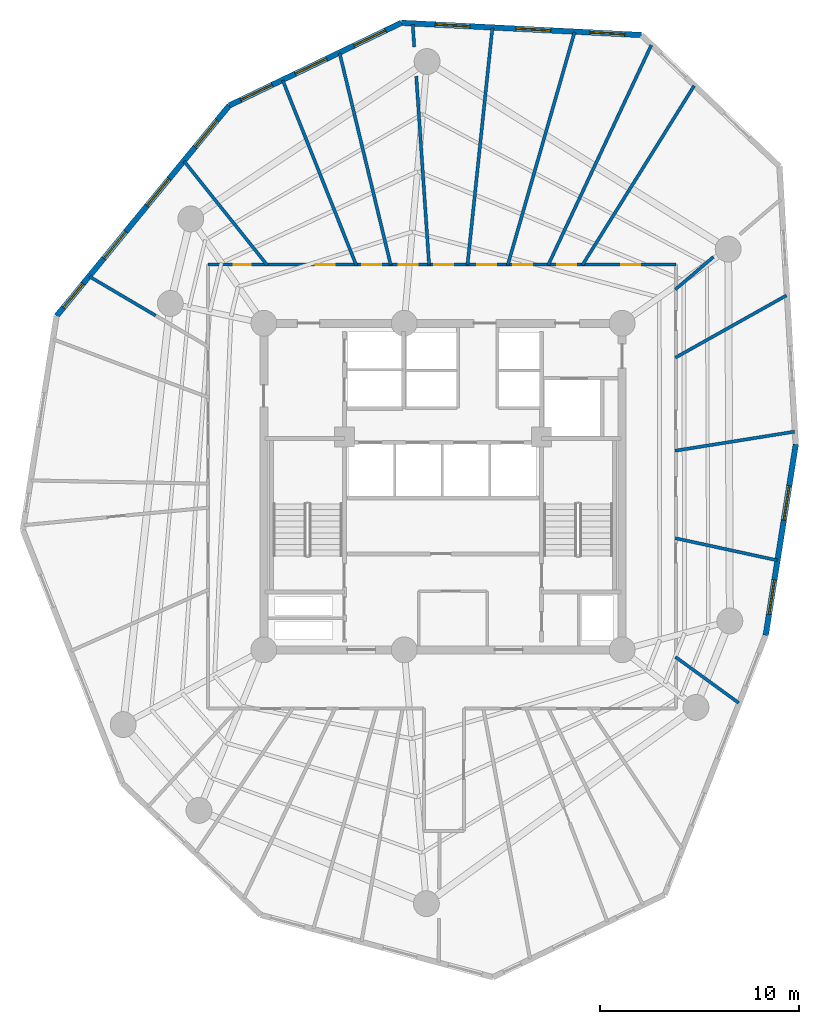
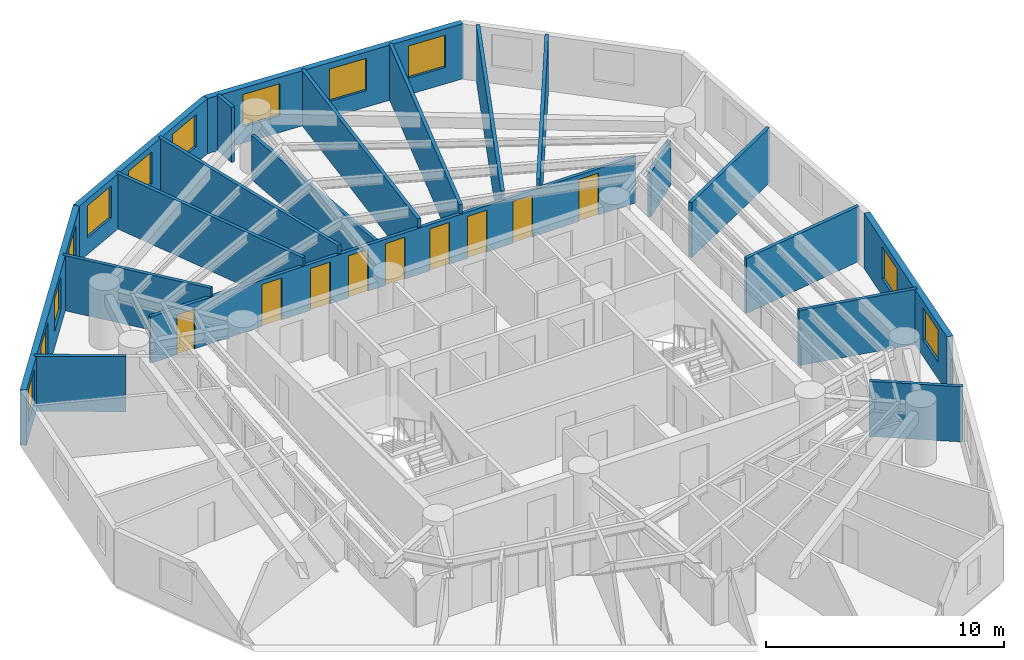
# One storey, part 6 of 8: 20 walls, 12 windows, 9 doors, 21 openings.
"""IFC4 building model written with IfcOpenShell, lengths in metres."""

import ifcopenshell
import ifcopenshell.guid

model = None  # the IFC model being written
_history = None  # IfcOwnerHistory: only IFC2X3 demands one
_inside = {}  # id of a spatial element -> (the spatial element, [elements in it])
_under = {}  # id of a project, library or spatial element -> (it, [spatial elements below it])
_declared = {}  # id of a project -> (the project, [libraries it declares])
_typed = {}  # id of a type object -> (the type object, [elements of that type])
_made_of = {}  # id of a material, layer set ... -> (it, [elements and type objects made of it])


def new_model(schema):
    """Start an empty IFC model of exactly this schema.

    Asked for "IFC4X3", IfcOpenShell would pick the latest addendum, in which some entities
    have other attributes; the version numbers below select the first issue.
    IFC2X3 requires an IfcOwnerHistory on every rooted entity: one is made here for all.
    """
    global model, _history
    if schema == "IFC4X3":
        model = ifcopenshell.file(schema_version=(4, 3, 0, 0))
    else:
        model = ifcopenshell.file(schema=schema)
    _inside.clear()
    _under.clear()
    _declared.clear()
    _typed.clear()
    _made_of.clear()
    _history = None
    if model.schema == "IFC2X3":
        org = make("IfcOrganization", Name="unknown")
        user = make(
            "IfcPersonAndOrganization",
            ThePerson=make("IfcPerson", FamilyName="unknown"),
            TheOrganization=org,
        )
        app = make(
            "IfcApplication",
            ApplicationDeveloper=org,
            Version="unknown",
            ApplicationFullName="unknown",
            ApplicationIdentifier="unknown",
        )
        _history = make(
            "IfcOwnerHistory",
            OwningUser=user,
            OwningApplication=app,
            ChangeAction="ADDED",
            CreationDate=0,
        )
    return model


def make(cls, **values):
    """One entity of the class cls with the attributes given. An attribute that is None is left unset."""
    return model.create_entity(
        cls, **{name: value for name, value in values.items() if value is not None}
    )


def rooted(cls, **values):
    """An entity with a GlobalId (a new one), such as an element, a storey or a relation."""
    return make(cls, GlobalId=ifcopenshell.guid.new(), OwnerHistory=_history, **values)


def si_unit(unit_type, name, prefix=None):
    """IfcSIUnit, for example si_unit("LENGTHUNIT", "METRE", prefix="MILLI")."""
    return make("IfcSIUnit", UnitType=unit_type, Prefix=prefix, Name=name)


def assignment(units):
    """IfcUnitAssignment: the units of a project."""
    return None if units is None else make("IfcUnitAssignment", Units=units)


def point(xyz):
    """IfcCartesianPoint."""
    return None if xyz is None else make("IfcCartesianPoint", Coordinates=xyz)


def direction(xyz):
    """IfcDirection."""
    return None if xyz is None else make("IfcDirection", DirectionRatios=xyz)


def frame(location, z_axis=None, x_axis=None):
    """IfcAxis2Placement3D, a coordinate frame: its origin and axes. An axis left out is left unset."""
    return make(
        "IfcAxis2Placement3D",
        Location=point(location),
        Axis=direction(z_axis),
        RefDirection=direction(x_axis),
    )


def frame_2d(location, x_axis=None):
    """IfcAxis2Placement2D, a coordinate frame in the plane: its origin and x axis."""
    return make(
        "IfcAxis2Placement2D", Location=point(location), RefDirection=direction(x_axis)
    )


def origin():
    """The frame at (0, 0, 0) with its axes left unset."""
    return frame((0.0, 0.0, 0.0))


def origin_with_axes():
    """The frame at (0, 0, 0) with the z axis (0, 0, 1) and the x axis (1, 0, 0) written out."""
    return frame((0.0, 0.0, 0.0), z_axis=(0.0, 0.0, 1.0), x_axis=(1.0, 0.0, 0.0))


def place(relative_to, where):
    """IfcLocalPlacement: puts the frame where relative to a parent placement (None: the world)."""
    return make(
        "IfcLocalPlacement", PlacementRelTo=relative_to, RelativePlacement=where
    )


def context(
    kind, dimensions, precision=None, world=None, true_north=None, identifier=None
):
    """IfcGeometricRepresentationContext, for example the 3D "Model" context."""
    return make(
        "IfcGeometricRepresentationContext",
        ContextIdentifier=identifier,
        ContextType=kind,
        CoordinateSpaceDimension=dimensions,
        Precision=precision,
        WorldCoordinateSystem=world,
        TrueNorth=true_north,
    )


def subcontext(parent, identifier, kind, view, scale=None):
    """IfcGeometricRepresentationSubContext, for example "Body" below "Model"."""
    return make(
        "IfcGeometricRepresentationSubContext",
        ContextIdentifier=identifier,
        ContextType=kind,
        ParentContext=parent,
        TargetScale=scale,
        TargetView=view,
    )


def project(units=None, contexts=None):
    """IfcProject with its units and contexts."""
    return rooted(
        "IfcProject",
        Name="project",
        RepresentationContexts=contexts,
        UnitsInContext=assignment(units),
    )


def spatial(cls, under=None, at=None, **own):
    """A site, building, storey or space (cls), placed at a placement, below another one or the project."""
    s = rooted(cls, ObjectPlacement=at, **own)
    if under is not None:
        _under.setdefault(under.id(), (under, []))[1].append(s)
    return s


def profile(cls, at=None, kind="AREA", **sizes):
    """A parametric profile (cls). Its sizes go by their IFC names, for example OverallWidth=200.0."""
    return make(cls, ProfileType=kind, Position=at, **sizes)


def rectangle(**sizes):
    """IfcRectangleProfileDef."""
    return profile("IfcRectangleProfileDef", **sizes)


def extrude(swept, where, along, depth):
    """IfcExtrudedAreaSolid: the profile swept, set in the frame where, extruded along a direction by depth."""
    return make(
        "IfcExtrudedAreaSolid",
        SweptArea=swept,
        Position=where,
        ExtrudedDirection=direction(along),
        Depth=depth,
    )


def shape(context_of_items, identifier, shape_type, items):
    """IfcShapeRepresentation: the items that make up one representation, for example the "Body"."""
    return make(
        "IfcShapeRepresentation",
        ContextOfItems=context_of_items,
        RepresentationIdentifier=identifier,
        RepresentationType=shape_type,
        Items=items,
    )


def source(mapping_origin, context_of_items, identifier, shape_type, items):
    """IfcRepresentationMap: a shape defined once, which mapped items show again and again."""
    return make(
        "IfcRepresentationMap",
        MappingOrigin=mapping_origin,
        MappedRepresentation=shape(context_of_items, identifier, shape_type, items),
    )


def transform(
    local_origin,
    x_axis=None,
    y_axis=None,
    z_axis=None,
    scale=None,
    scale2=None,
    scale3=None,
    uniform=True,
):
    """IfcCartesianTransformationOperator3D, or its non-uniform kind. x_axis, y_axis, z_axis: its Axis1, 2, 3."""
    if uniform:
        return make(
            "IfcCartesianTransformationOperator3D",
            Axis1=direction(x_axis),
            Axis2=direction(y_axis),
            LocalOrigin=point(local_origin),
            Scale=scale,
            Axis3=direction(z_axis),
        )
    return make(
        "IfcCartesianTransformationOperator3DnonUniform",
        Axis1=direction(x_axis),
        Axis2=direction(y_axis),
        LocalOrigin=point(local_origin),
        Scale=scale,
        Axis3=direction(z_axis),
        Scale2=scale2,
        Scale3=scale3,
    )


def mapped(mapping_source, mapping_target):
    """IfcMappedItem: shows the shape of a source again, moved by a transform."""
    return make(
        "IfcMappedItem", MappingSource=mapping_source, MappingTarget=mapping_target
    )


def material(Name=None, Category=None):
    """IfcMaterial."""
    return make("IfcMaterial", Name=Name, Category=Category)


def layer(
    of_material, thickness, ventilated=None, Name=None, Category=None, Priority=None
):
    """IfcMaterialLayer: one layer of a wall or slab, of a material (None: an air gap)."""
    return make(
        "IfcMaterialLayer",
        Material=of_material,
        LayerThickness=thickness,
        IsVentilated=ventilated,
        Name=Name,
        Category=Category,
        Priority=Priority,
    )


def layer_set(layers, Name=None):
    """IfcMaterialLayerSet."""
    return make("IfcMaterialLayerSet", MaterialLayers=layers, LayerSetName=Name)


def made_of(thing, what):
    """Note that an element or type object is made of a material, layer set ...; save() writes the relation."""
    if what is not None:
        _made_of.setdefault(what.id(), (what, []))[1].append(thing)
    return thing


def type_object(cls, material=None, **own):
    """A type object (cls), such as IfcWallType, which elements share."""
    return made_of(rooted(cls, **own), material)


def element(
    cls,
    number,
    at=None,
    inside=None,
    cuts=None,
    type_object=None,
    material=None,
    context=None,
    identifier="Body",
    shape_type=None,
    held_by="IfcProductDefinitionShape",
    body=None,
    shapes=None,
    **own,
):
    """One element of the class cls, such as IfcWall. Its Tag is "e" and its number.

    at: its placement. inside: the storey or other place that contains it. cuts: it is an
    opening in that element (IfcRelVoidsElement). A single representation is given by context,
    identifier, shape_type and body (its items); several are given by shapes. held_by: the class
    of the entity that holds the representations. save() writes the other relations.
    """
    e = rooted(cls, Tag="e%d" % number, ObjectPlacement=at, **own)
    if body is not None:
        shapes = [shape(context, identifier, shape_type, body)]
    if shapes is not None:
        e.Representation = make(held_by, Representations=shapes)
    if inside is not None:
        _inside.setdefault(inside.id(), (inside, []))[1].append(e)
    if cuts is not None:
        rooted(
            "IfcRelVoidsElement", RelatingBuildingElement=cuts, RelatedOpeningElement=e
        )
    if type_object is not None:
        _typed.setdefault(type_object.id(), (type_object, []))[1].append(e)
    return made_of(e, material)


def fill(opening, filler):
    """IfcRelFillsElement: the door or window that sits in an opening."""
    return rooted(
        "IfcRelFillsElement",
        RelatingOpeningElement=opening,
        RelatedBuildingElement=filler,
    )


def aggregate(whole, parts):
    """IfcRelAggregates: a whole, such as a stair, and the parts it consists of."""
    return rooted("IfcRelAggregates", RelatingObject=whole, RelatedObjects=parts)


def save(model, path):
    """Write the relations noted so far, then the file.

    IfcRelAggregates (storeys below a building ...), IfcRelContainedInSpatialStructure (elements
    in a storey), IfcRelDefinesByType, IfcRelAssociatesMaterial and IfcRelDeclares: one each for
    every whole, place, type object, material and project.
    """
    for whole, parts in _under.values():
        aggregate(whole, parts)
    for where, things in _inside.values():
        rooted(
            "IfcRelContainedInSpatialStructure",
            RelatedElements=things,
            RelatingStructure=where,
        )
    for kind, things in _typed.values():
        rooted("IfcRelDefinesByType", RelatedObjects=things, RelatingType=kind)
    for what, things in _made_of.values():
        rooted("IfcRelAssociatesMaterial", RelatedObjects=things, RelatingMaterial=what)
    for by, libraries in _declared.values():
        rooted("IfcRelDeclares", RelatingContext=by, RelatedDefinitions=libraries)
    model.write(path)


model = new_model("IFC4")

# Units and contexts
model_context = context("Model", 3, precision=1e-05, world=origin(), true_north=direction((0.0, 1.0)))
body_context = subcontext(model_context, "Body", "Model", "MODEL_VIEW")
ifc_project = project(units=[si_unit("LENGTHUNIT", "METRE"), si_unit("AREAUNIT", "SQUARE_METRE"), si_unit("VOLUMEUNIT", "CUBIC_METRE"), si_unit("PLANEANGLEUNIT", "RADIAN"), si_unit("MASSUNIT", "GRAM", prefix="KILO")], contexts=[model_context])

# Site, building, storey
site_placement = place(None, origin())
site = spatial("IfcSite", under=ifc_project, at=site_placement, CompositionType="ELEMENT")
building_placement = place(site_placement, origin())
building = spatial("IfcBuilding", under=site, at=building_placement, Name="Karkom Vertical University and Central Library", CompositionType="ELEMENT")
storey_placement = place(building_placement, frame((0.0, 0.0, 165.699951171875)))
storey = spatial("IfcBuildingStorey", under=building, at=storey_placement, Name="L47", CompositionType="ELEMENT", Elevation=165.699951171875)

# Wall, openings, windows
ifc_material_1 = material(Name="Brick-faced precast concrete C45/55", Category="masonry")
ifc_layer_1 = layer(ifc_material_1, 0.280029296875)
ifc_layer_set_1 = layer_set([ifc_layer_1], Name="Brick-faced precast concrete C45/55")
wall_type_1 = type_object("IfcWallType", Name="ENV-WL-BRK-280", PredefinedType="SOLIDWALL", material=ifc_layer_set_1)
wall_1_placement = place(storey_placement, frame((44.7099609375, 19.02978515625, 0.0), z_axis=(0.0, 0.0, 1.0), x_axis=(0.155755962914, 0.987795565902, 0.0)))
wall_1 = element("IfcWall", 1, at=wall_1_placement, inside=storey, type_object=wall_type_1, Name="Level 47 Brick-Faced Precast Facade Wall 07", PredefinedType="SOLIDWALL", context=body_context, shape_type="SweptSolid", body=[
    extrude(rectangle(XDim=9.708740234375, YDim=0.280029296875, at=frame_2d((4.8544921875, 0.0))), origin(), (0.0, 0.0, 1.0), 2.824951171875),
])
opening_1_placement = place(wall_1_placement, frame((1.061279296875, 0.0, 0.85009765625)))
opening_1 = element("IfcOpeningElement", 2, at=opening_1_placement, cuts=wall_1, Name="Opening WN-08", PredefinedType="OPENING", context=body_context, shape_type="SweptSolid", body=[
    extrude(rectangle(XDim=1.75, YDim=1.64990234375, at=frame_2d((0.875, 0.824951171875))), frame((0.0, 0.14990234375, 0.0), z_axis=(0.0, -1.0, 0.0), x_axis=(1.0, 0.0, 0.0)), (0.0, 0.0, 1.0), 0.300048828125),
])
opening_2_placement = place(wall_1_placement, frame((5.855712890625, 0.0, 0.85009765625)))
opening_2 = element("IfcOpeningElement", 3, at=opening_2_placement, cuts=wall_1, Name="Opening WN-08", PredefinedType="OPENING", context=body_context, shape_type="SweptSolid", body=[
    extrude(rectangle(XDim=1.75, YDim=1.64990234375, at=frame_2d((0.875, 0.824951171875))), frame((0.0, 0.14990234375, 0.0), z_axis=(0.0, -1.0, 0.0), x_axis=(1.0, 0.0, 0.0)), (0.0, 0.0, 1.0), 0.300048828125),
])
ifc_material_2 = material(Name="Aluminium thermal-break frame with solar-control IGU", Category="aluminium")
window_type_1 = type_object("IfcWindowType", Name="ENV-WIN-WN-08", PartitioningType="SINGLE_PANEL", PredefinedType="WINDOW", material=ifc_material_2)
shared_shape_1 = source(origin_with_axes(), body_context, "Body", "SweptSolid", [
    extrude(rectangle(XDim=1.75, YDim=1.64990234375, at=frame_2d((0.875, 0.824951171875))), frame((0.0, 0.030029296875, 0.0), z_axis=(0.0, -1.0, 0.0), x_axis=(1.0, 0.0, 0.0)), (0.0, 0.0, 1.0), 0.06005859375),
])
window_1_placement = place(opening_1_placement, origin())
window_1 = element("IfcWindow", 4, at=window_1_placement, inside=storey, type_object=window_type_1, Name="Level 47 Punched Window 7.1", OverallHeight=1.64990234375, OverallWidth=1.75, PartitioningType="SINGLE_PANEL", PredefinedType="WINDOW", context=body_context, shape_type="MappedRepresentation", body=[
    mapped(shared_shape_1, transform((0.0, 0.0, 0.0), scale=1.0)),
])
fill(opening_1, window_1)
window_2_placement = place(opening_2_placement, origin())
window_2 = element("IfcWindow", 5, at=window_2_placement, inside=storey, type_object=window_type_1, Name="Level 47 Punched Window 7.2", OverallHeight=1.64990234375, OverallWidth=1.75, PartitioningType="SINGLE_PANEL", PredefinedType="WINDOW", context=body_context, shape_type="MappedRepresentation", body=[
    mapped(shared_shape_1, transform((0.0, 0.0, 0.0), scale=1.0)),
])
fill(opening_2, window_2)

wall_2_placement = place(storey_placement, frame((38.472412109375, 49.181884765625, 0.0), z_axis=(0.0, 0.0, 1.0), x_axis=(-0.99870486475, 0.050878218564, 0.0)))
wall_2 = element("IfcWall", 6, at=wall_2_placement, inside=storey, type_object=wall_type_1, Name="Level 47 Brick-Faced Precast Facade Wall 10", PredefinedType="SOLIDWALL", context=body_context, shape_type="SweptSolid", body=[
    extrude(rectangle(XDim=12.077880859375, YDim=0.280029296875, at=frame_2d((6.0390625, 0.0))), origin(), (0.0, 0.0, 1.0), 2.824951171875),
])
opening_3_placement = place(wall_2_placement, frame((0.84228515625, 0.0, 0.85009765625)))
opening_3 = element("IfcOpeningElement", 7, at=opening_3_placement, cuts=wall_2, Name="Opening WN-08", PredefinedType="OPENING", context=body_context, shape_type="SweptSolid", body=[
    extrude(rectangle(XDim=1.75, YDim=1.64990234375, at=frame_2d((0.875, 0.824951171875))), frame((0.0, 0.14990234375, 0.0), z_axis=(0.0, -1.0, 0.0), x_axis=(1.0, 0.0, 0.0)), (0.0, 0.0, 1.0), 0.300048828125),
])
opening_4_placement = place(wall_2_placement, frame((4.563232421875, 0.0, 0.85009765625)))
opening_4 = element("IfcOpeningElement", 8, at=opening_4_placement, cuts=wall_2, Name="Opening WN-08", PredefinedType="OPENING", context=body_context, shape_type="SweptSolid", body=[
    extrude(rectangle(XDim=1.75, YDim=1.64990234375, at=frame_2d((0.875, 0.824951171875))), frame((0.0, 0.14990234375, 0.0), z_axis=(0.0, -1.0, 0.0), x_axis=(1.0, 0.0, 0.0)), (0.0, 0.0, 1.0), 0.300048828125),
])
opening_5_placement = place(wall_2_placement, frame((8.62841796875, 0.0, 0.85009765625)))
opening_5 = element("IfcOpeningElement", 9, at=opening_5_placement, cuts=wall_2, Name="Opening WN-08", PredefinedType="OPENING", context=body_context, shape_type="SweptSolid", body=[
    extrude(rectangle(XDim=1.75, YDim=1.64990234375, at=frame_2d((0.875, 0.824951171875))), frame((0.0, 0.14990234375, 0.0), z_axis=(0.0, -1.0, 0.0), x_axis=(1.0, 0.0, 0.0)), (0.0, 0.0, 1.0), 0.300048828125),
])
window_3_placement = place(opening_3_placement, origin())
window_3 = element("IfcWindow", 10, at=window_3_placement, inside=storey, type_object=window_type_1, Name="Level 47 Punched Window 10.1", OverallHeight=1.64990234375, OverallWidth=1.75, PartitioningType="SINGLE_PANEL", PredefinedType="WINDOW", context=body_context, shape_type="MappedRepresentation", body=[
    mapped(shared_shape_1, transform((0.0, 0.0, 0.0), scale=1.0)),
])
fill(opening_3, window_3)
window_4_placement = place(opening_4_placement, origin())
window_4 = element("IfcWindow", 11, at=window_4_placement, inside=storey, type_object=window_type_1, Name="Level 47 Punched Window 10.2", OverallHeight=1.64990234375, OverallWidth=1.75, PartitioningType="SINGLE_PANEL", PredefinedType="WINDOW", context=body_context, shape_type="MappedRepresentation", body=[
    mapped(shared_shape_1, transform((0.0, 0.0, 0.0), scale=1.0)),
])
fill(opening_4, window_4)
window_5_placement = place(opening_5_placement, origin())
window_5 = element("IfcWindow", 12, at=window_5_placement, inside=storey, type_object=window_type_1, Name="Level 47 Punched Window 10.3", OverallHeight=1.64990234375, OverallWidth=1.75, PartitioningType="SINGLE_PANEL", PredefinedType="WINDOW", context=body_context, shape_type="MappedRepresentation", body=[
    mapped(shared_shape_1, transform((0.0, 0.0, 0.0), scale=1.0)),
])
fill(opening_5, window_5)

wall_3_placement = place(storey_placement, frame((26.41015625, 49.79638671875, 0.0), z_axis=(0.0, 0.0, 1.0), x_axis=(-0.901396312394, -0.432995020759, 0.0)))
wall_3 = element("IfcWall", 13, at=wall_3_placement, inside=storey, type_object=wall_type_1, Name="Level 47 Brick-Faced Precast Facade Wall 11", PredefinedType="SOLIDWALL", context=body_context, shape_type="SweptSolid", body=[
    extrude(rectangle(XDim=9.591552734375, YDim=0.280029296875, at=frame_2d((4.7958984375, 0.0))), origin(), (0.0, 0.0, 1.0), 2.824951171875),
])
opening_6_placement = place(wall_3_placement, frame((0.88671875, 0.0, 0.85009765625)))
opening_6 = element("IfcOpeningElement", 14, at=opening_6_placement, cuts=wall_3, Name="Opening WN-08", PredefinedType="OPENING", context=body_context, shape_type="SweptSolid", body=[
    extrude(rectangle(XDim=1.75, YDim=1.64990234375, at=frame_2d((0.875, 0.824951171875))), frame((0.0, 0.14990234375, 0.0), z_axis=(0.0, -1.0, 0.0), x_axis=(1.0, 0.0, 0.0)), (0.0, 0.0, 1.0), 0.300048828125),
])
opening_7_placement = place(wall_3_placement, frame((4.17041015625, 0.0, 0.85009765625)))
opening_7 = element("IfcOpeningElement", 15, at=opening_7_placement, cuts=wall_3, Name="Opening WN-08", PredefinedType="OPENING", context=body_context, shape_type="SweptSolid", body=[
    extrude(rectangle(XDim=1.75, YDim=1.64990234375, at=frame_2d((0.875, 0.824951171875))), frame((0.0, 0.14990234375, 0.0), z_axis=(0.0, -1.0, 0.0), x_axis=(1.0, 0.0, 0.0)), (0.0, 0.0, 1.0), 0.300048828125),
])
opening_8_placement = place(wall_3_placement, frame((7.20458984375, 0.0, 0.85009765625)))
opening_8 = element("IfcOpeningElement", 16, at=opening_8_placement, cuts=wall_3, Name="Opening WN-08", PredefinedType="OPENING", context=body_context, shape_type="SweptSolid", body=[
    extrude(rectangle(XDim=1.75, YDim=1.64990234375, at=frame_2d((0.875, 0.824951171875))), frame((0.0, 0.14990234375, 0.0), z_axis=(0.0, -1.0, 0.0), x_axis=(1.0, 0.0, 0.0)), (0.0, 0.0, 1.0), 0.300048828125),
])
window_6_placement = place(opening_6_placement, origin())
window_6 = element("IfcWindow", 17, at=window_6_placement, inside=storey, type_object=window_type_1, Name="Level 47 Punched Window 11.1", OverallHeight=1.64990234375, OverallWidth=1.75, PartitioningType="SINGLE_PANEL", PredefinedType="WINDOW", context=body_context, shape_type="MappedRepresentation", body=[
    mapped(shared_shape_1, transform((0.0, 0.0, 0.0), scale=1.0)),
])
fill(opening_6, window_6)
window_7_placement = place(opening_7_placement, origin())
window_7 = element("IfcWindow", 18, at=window_7_placement, inside=storey, type_object=window_type_1, Name="Level 47 Punched Window 11.2", OverallHeight=1.64990234375, OverallWidth=1.75, PartitioningType="SINGLE_PANEL", PredefinedType="WINDOW", context=body_context, shape_type="MappedRepresentation", body=[
    mapped(shared_shape_1, transform((0.0, 0.0, 0.0), scale=1.0)),
])
fill(opening_7, window_7)
window_8_placement = place(opening_8_placement, origin())
window_8 = element("IfcWindow", 19, at=window_8_placement, inside=storey, type_object=window_type_1, Name="Level 47 Punched Window 11.3", OverallHeight=1.64990234375, OverallWidth=1.75, PartitioningType="SINGLE_PANEL", PredefinedType="WINDOW", context=body_context, shape_type="MappedRepresentation", body=[
    mapped(shared_shape_1, transform((0.0, 0.0, 0.0), scale=1.0)),
])
fill(opening_8, window_8)

wall_4_placement = place(storey_placement, frame((17.764404296875, 45.643310546875, 0.0), z_axis=(0.0, 0.0, 1.0), x_axis=(-0.634344773235, -0.773050262705, 0.0)))
wall_4 = element("IfcWall", 20, at=wall_4_placement, inside=storey, type_object=wall_type_1, Name="Level 47 Brick-Faced Precast Facade Wall 12", PredefinedType="SOLIDWALL", context=body_context, shape_type="SweptSolid", body=[
    extrude(rectangle(XDim=13.683349609375, YDim=0.280029296875, at=frame_2d((6.841796875, 0.0))), origin(), (0.0, 0.0, 1.0), 2.824951171875),
])
opening_9_placement = place(wall_4_placement, frame((0.961181640625, 0.0, 0.85009765625)))
opening_9 = element("IfcOpeningElement", 21, at=opening_9_placement, cuts=wall_4, Name="Opening WN-08", PredefinedType="OPENING", context=body_context, shape_type="SweptSolid", body=[
    extrude(rectangle(XDim=1.75, YDim=1.64990234375, at=frame_2d((0.875, 0.824951171875))), frame((0.0, 0.14990234375, 0.0), z_axis=(0.0, -1.0, 0.0), x_axis=(1.0, 0.0, 0.0)), (0.0, 0.0, 1.0), 0.300048828125),
])
opening_10_placement = place(wall_4_placement, frame((4.76708984375, 0.0, 0.85009765625)))
opening_10 = element("IfcOpeningElement", 22, at=opening_10_placement, cuts=wall_4, Name="Opening WN-08", PredefinedType="OPENING", context=body_context, shape_type="SweptSolid", body=[
    extrude(rectangle(XDim=1.75, YDim=1.64990234375, at=frame_2d((0.875, 0.824951171875))), frame((0.0, 0.14990234375, 0.0), z_axis=(0.0, -1.0, 0.0), x_axis=(1.0, 0.0, 0.0)), (0.0, 0.0, 1.0), 0.300048828125),
])
opening_11_placement = place(wall_4_placement, frame((8.186767578125, 0.0, 0.85009765625)))
opening_11 = element("IfcOpeningElement", 23, at=opening_11_placement, cuts=wall_4, Name="Opening WN-08", PredefinedType="OPENING", context=body_context, shape_type="SweptSolid", body=[
    extrude(rectangle(XDim=1.75, YDim=1.64990234375, at=frame_2d((0.875, 0.824951171875))), frame((0.0, 0.14990234375, 0.0), z_axis=(0.0, -1.0, 0.0), x_axis=(1.0, 0.0, 0.0)), (0.0, 0.0, 1.0), 0.300048828125),
])
opening_12_placement = place(wall_4_placement, frame((11.58251953125, 0.0, 0.85009765625)))
opening_12 = element("IfcOpeningElement", 24, at=opening_12_placement, cuts=wall_4, Name="Opening WN-09", PredefinedType="OPENING", context=body_context, shape_type="SweptSolid", body=[
    extrude(rectangle(XDim=1.550048828125, YDim=1.64990234375, at=frame_2d((0.77490234375, 0.824951171875))), frame((0.0, 0.14990234375, 0.0), z_axis=(0.0, -1.0, 0.0), x_axis=(1.0, 0.0, 0.0)), (0.0, 0.0, 1.0), 0.300048828125),
])
window_9_placement = place(opening_9_placement, origin())
window_9 = element("IfcWindow", 25, at=window_9_placement, inside=storey, type_object=window_type_1, Name="Level 47 Punched Window 12.1", OverallHeight=1.64990234375, OverallWidth=1.75, PartitioningType="SINGLE_PANEL", PredefinedType="WINDOW", context=body_context, shape_type="MappedRepresentation", body=[
    mapped(shared_shape_1, transform((0.0, 0.0, 0.0), scale=1.0)),
])
fill(opening_9, window_9)
window_10_placement = place(opening_10_placement, origin())
window_10 = element("IfcWindow", 26, at=window_10_placement, inside=storey, type_object=window_type_1, Name="Level 47 Punched Window 12.2", OverallHeight=1.64990234375, OverallWidth=1.75, PartitioningType="SINGLE_PANEL", PredefinedType="WINDOW", context=body_context, shape_type="MappedRepresentation", body=[
    mapped(shared_shape_1, transform((0.0, 0.0, 0.0), scale=1.0)),
])
fill(opening_10, window_10)
window_11_placement = place(opening_11_placement, origin())
window_11 = element("IfcWindow", 27, at=window_11_placement, inside=storey, type_object=window_type_1, Name="Level 47 Punched Window 12.3", OverallHeight=1.64990234375, OverallWidth=1.75, PartitioningType="SINGLE_PANEL", PredefinedType="WINDOW", context=body_context, shape_type="MappedRepresentation", body=[
    mapped(shared_shape_1, transform((0.0, 0.0, 0.0), scale=1.0)),
])
fill(opening_11, window_11)
window_type_2 = type_object("IfcWindowType", Name="ENV-WIN-WN-09", PartitioningType="SINGLE_PANEL", PredefinedType="WINDOW", material=ifc_material_2)
shared_shape_2 = source(origin_with_axes(), body_context, "Body", "SweptSolid", [
    extrude(rectangle(XDim=1.550048828125, YDim=1.64990234375, at=frame_2d((0.77490234375, 0.824951171875))), frame((0.0, 0.030029296875, 0.0), z_axis=(0.0, -1.0, 0.0), x_axis=(1.0, 0.0, 0.0)), (0.0, 0.0, 1.0), 0.06005859375),
])
window_12_placement = place(opening_12_placement, origin())
window_12 = element("IfcWindow", 28, at=window_12_placement, inside=storey, type_object=window_type_2, Name="Level 47 Punched Window 12.4", OverallHeight=1.64990234375, OverallWidth=1.550048828125, PartitioningType="SINGLE_PANEL", PredefinedType="WINDOW", context=body_context, shape_type="MappedRepresentation", body=[
    mapped(shared_shape_2, transform((0.0, 0.0, 0.0), scale=1.0)),
])
fill(opening_12, window_12)

# Wall, openings, doors
ifc_material_3 = material(Name="Insulated metal-stud drywall 160mm", Category="gypsum")
ifc_layer_2 = layer(ifc_material_3, 0.159912109375)
ifc_layer_set_2 = layer_set([ifc_layer_2], Name="Insulated metal-stud drywall 160mm")
wall_type_2 = type_object("IfcWallType", Name="INT-WL-COR-160", PredefinedType="PARTITIONING", material=ifc_layer_set_2)
wall_5_placement = place(storey_placement, frame((16.699951171875, 37.64990234375, 0.0), z_axis=(0.0, 0.0, 1.0), x_axis=(1.0, 0.0, 0.0)))
wall_5 = element("IfcWall", 29, at=wall_5_placement, inside=storey, type_object=wall_type_2, Name="Level 47 Interior Partition Wall L47-CORW-CW-003", PredefinedType="PARTITIONING", context=body_context, shape_type="SweptSolid", body=[
    extrude(rectangle(XDim=23.5, YDim=0.159912109375, at=frame_2d((11.75, 0.0))), origin(), (0.0, 0.0, 1.0), 2.375),
])
opening_13_placement = place(wall_5_placement, frame((20.748779296875, 0.0, 0.0)))
opening_13 = element("IfcOpeningElement", 30, at=opening_13_placement, cuts=wall_5, Name="Opening D-RM1", PredefinedType="OPENING", context=body_context, shape_type="SweptSolid", body=[
    extrude(rectangle(XDim=0.949951171875, YDim=2.14990234375, at=frame_2d((0.47509765625, 1.074951171875))), frame((0.0, 0.08984375, 0.0), z_axis=(0.0, -1.0, 0.0), x_axis=(1.0, 0.0, 0.0)), (0.0, 0.0, 1.0), 0.179931640625),
])
opening_14_placement = place(wall_5_placement, frame((17.5400390625, 0.0, 0.0)))
opening_14 = element("IfcOpeningElement", 31, at=opening_14_placement, cuts=wall_5, Name="Opening D-RM1", PredefinedType="OPENING", context=body_context, shape_type="SweptSolid", body=[
    extrude(rectangle(XDim=0.949951171875, YDim=2.14990234375, at=frame_2d((0.47509765625, 1.074951171875))), frame((0.0, 0.08984375, 0.0), z_axis=(0.0, -1.0, 0.0), x_axis=(1.0, 0.0, 0.0)), (0.0, 0.0, 1.0), 0.179931640625),
])
opening_15_placement = place(wall_5_placement, frame((15.340087890625, 0.0, 0.0)))
opening_15 = element("IfcOpeningElement", 32, at=opening_15_placement, cuts=wall_5, Name="Opening D-RM1", PredefinedType="OPENING", context=body_context, shape_type="SweptSolid", body=[
    extrude(rectangle(XDim=0.949951171875, YDim=2.14990234375, at=frame_2d((0.47509765625, 1.074951171875))), frame((0.0, 0.08984375, 0.0), z_axis=(0.0, -1.0, 0.0), x_axis=(1.0, 0.0, 0.0)), (0.0, 0.0, 1.0), 0.179931640625),
])
opening_16_placement = place(wall_5_placement, frame((13.524169921875, 0.0, 0.0)))
opening_16 = element("IfcOpeningElement", 33, at=opening_16_placement, cuts=wall_5, Name="Opening D-RM1", PredefinedType="OPENING", context=body_context, shape_type="SweptSolid", body=[
    extrude(rectangle(XDim=0.949951171875, YDim=2.14990234375, at=frame_2d((0.47509765625, 1.074951171875))), frame((0.0, 0.08984375, 0.0), z_axis=(0.0, -1.0, 0.0), x_axis=(1.0, 0.0, 0.0)), (0.0, 0.0, 1.0), 0.179931640625),
])
opening_17_placement = place(wall_5_placement, frame((11.364990234375, 0.0, 0.0)))
opening_17 = element("IfcOpeningElement", 34, at=opening_17_placement, cuts=wall_5, Name="Opening D-RM1", PredefinedType="OPENING", context=body_context, shape_type="SweptSolid", body=[
    extrude(rectangle(XDim=0.949951171875, YDim=2.14990234375, at=frame_2d((0.47509765625, 1.074951171875))), frame((0.0, 0.08984375, 0.0), z_axis=(0.0, -1.0, 0.0), x_axis=(1.0, 0.0, 0.0)), (0.0, 0.0, 1.0), 0.179931640625),
])
opening_18_placement = place(wall_5_placement, frame((9.58837890625, 0.0, 0.0)))
opening_18 = element("IfcOpeningElement", 35, at=opening_18_placement, cuts=wall_5, Name="Opening D-RM1", PredefinedType="OPENING", context=body_context, shape_type="SweptSolid", body=[
    extrude(rectangle(XDim=0.949951171875, YDim=2.14990234375, at=frame_2d((0.47509765625, 1.074951171875))), frame((0.0, 0.08984375, 0.0), z_axis=(0.0, -1.0, 0.0), x_axis=(1.0, 0.0, 0.0)), (0.0, 0.0, 1.0), 0.179931640625),
])
opening_19_placement = place(wall_5_placement, frame((7.75, 0.0, 0.0)))
opening_19 = element("IfcOpeningElement", 36, at=opening_19_placement, cuts=wall_5, Name="Opening D-RM1", PredefinedType="OPENING", context=body_context, shape_type="SweptSolid", body=[
    extrude(rectangle(XDim=0.949951171875, YDim=2.14990234375, at=frame_2d((0.47509765625, 1.074951171875))), frame((0.0, 0.08984375, 0.0), z_axis=(0.0, -1.0, 0.0), x_axis=(1.0, 0.0, 0.0)), (0.0, 0.0, 1.0), 0.179931640625),
])
opening_20_placement = place(wall_5_placement, frame((5.39990234375, 0.0, 0.0)))
opening_20 = element("IfcOpeningElement", 37, at=opening_20_placement, cuts=wall_5, Name="Opening D-RM1", PredefinedType="OPENING", context=body_context, shape_type="SweptSolid", body=[
    extrude(rectangle(XDim=0.949951171875, YDim=2.14990234375, at=frame_2d((0.47509765625, 1.074951171875))), frame((0.0, 0.08984375, 0.0), z_axis=(0.0, -1.0, 0.0), x_axis=(1.0, 0.0, 0.0)), (0.0, 0.0, 1.0), 0.179931640625),
])
opening_21_placement = place(wall_5_placement, frame((1.276611328125, 0.0, 0.0)))
opening_21 = element("IfcOpeningElement", 38, at=opening_21_placement, cuts=wall_5, Name="Opening FD-BTH2", PredefinedType="OPENING", context=body_context, shape_type="SweptSolid", body=[
    extrude(rectangle(XDim=0.860107421875, YDim=2.0400390625, at=frame_2d((0.43017578125, 1.02001953125))), frame((0.0, 0.08984375, 0.0), z_axis=(0.0, -1.0, 0.0), x_axis=(1.0, 0.0, 0.0)), (0.0, 0.0, 1.0), 0.179931640625),
])
ifc_material_4 = material(Name="Fire-rated moisture-resistant oak door", Category="wood")
door_type_1 = type_object("IfcDoorType", Name="INT-DR-FBTH2", OperationType="NOTDEFINED", PredefinedType="DOOR", material=ifc_material_4)
shared_shape_3 = source(origin_with_axes(), body_context, "Body", "SweptSolid", [
    extrude(rectangle(XDim=0.860107421875, YDim=2.0400390625, at=frame_2d((0.43017578125, 1.02001953125))), frame((0.0, 0.02490234375, 0.0), z_axis=(0.0, -1.0, 0.0), x_axis=(1.0, 0.0, 0.0)), (0.0, 0.0, 1.0), 0.050048828125),
])
door_1_placement = place(opening_21_placement, origin())
door_1 = element("IfcDoor", 39, at=door_1_placement, inside=storey, type_object=door_type_1, Name="Level 47 Campus Student Health Counseling Clinic Entry Door", OperationType="SINGLE_SWING_RIGHT", OverallHeight=2.0400390625, OverallWidth=0.860107421875, PredefinedType="DOOR", context=body_context, shape_type="MappedRepresentation", body=[
    mapped(shared_shape_3, transform((0.0, 0.0, 0.0), scale=1.0)),
])
fill(opening_21, door_1)
ifc_material_5 = material(Name="Solid-core oak veneer door", Category="wood")
door_type_2 = type_object("IfcDoorType", Name="INT-DR-RM1", OperationType="NOTDEFINED", PredefinedType="DOOR", material=ifc_material_5)
shared_shape_4 = source(origin_with_axes(), body_context, "Body", "SweptSolid", [
    extrude(rectangle(XDim=0.949951171875, YDim=2.14990234375, at=frame_2d((0.47509765625, 1.074951171875))), frame((0.0, 0.02490234375, 0.0), z_axis=(0.0, -1.0, 0.0), x_axis=(1.0, 0.0, 0.0)), (0.0, 0.0, 1.0), 0.050048828125),
])
door_2_placement = place(opening_13_placement, origin())
door_2 = element("IfcDoor", 40, at=door_2_placement, inside=storey, type_object=door_type_2, Name="Level 47 Room Entry Door 170", OperationType="SINGLE_SWING_RIGHT", OverallHeight=2.14990234375, OverallWidth=0.949951171875, PredefinedType="DOOR", context=body_context, shape_type="MappedRepresentation", body=[
    mapped(shared_shape_4, transform((0.0, 0.0, 0.0), scale=1.0)),
])
fill(opening_13, door_2)
door_3_placement = place(opening_14_placement, origin())
door_3 = element("IfcDoor", 41, at=door_3_placement, inside=storey, type_object=door_type_2, Name="Level 47 Room Entry Door 180", OperationType="SINGLE_SWING_LEFT", OverallHeight=2.14990234375, OverallWidth=0.949951171875, PredefinedType="DOOR", context=body_context, shape_type="MappedRepresentation", body=[
    mapped(shared_shape_4, transform((0.0, 0.0, 0.0), scale=1.0)),
])
fill(opening_14, door_3)
door_4_placement = place(opening_15_placement, origin())
door_4 = element("IfcDoor", 42, at=door_4_placement, inside=storey, type_object=door_type_2, Name="Level 47 Room Entry Door 190", OperationType="SINGLE_SWING_RIGHT", OverallHeight=2.14990234375, OverallWidth=0.949951171875, PredefinedType="DOOR", context=body_context, shape_type="MappedRepresentation", body=[
    mapped(shared_shape_4, transform((0.0, 0.0, 0.0), scale=1.0)),
])
fill(opening_15, door_4)
door_5_placement = place(opening_16_placement, origin())
door_5 = element("IfcDoor", 43, at=door_5_placement, inside=storey, type_object=door_type_2, Name="Level 47 Room Entry Door 200", OperationType="SINGLE_SWING_LEFT", OverallHeight=2.14990234375, OverallWidth=0.949951171875, PredefinedType="DOOR", context=body_context, shape_type="MappedRepresentation", body=[
    mapped(shared_shape_4, transform((0.0, 0.0, 0.0), scale=1.0)),
])
fill(opening_16, door_5)
door_6_placement = place(opening_17_placement, origin())
door_6 = element("IfcDoor", 44, at=door_6_placement, inside=storey, type_object=door_type_2, Name="Level 47 Room Entry Door 210", OperationType="SINGLE_SWING_RIGHT", OverallHeight=2.14990234375, OverallWidth=0.949951171875, PredefinedType="DOOR", context=body_context, shape_type="MappedRepresentation", body=[
    mapped(shared_shape_4, transform((0.0, 0.0, 0.0), scale=1.0)),
])
fill(opening_17, door_6)
door_7_placement = place(opening_18_placement, origin())
door_7 = element("IfcDoor", 45, at=door_7_placement, inside=storey, type_object=door_type_2, Name="Level 47 Room Entry Door 220", OperationType="SINGLE_SWING_LEFT", OverallHeight=2.14990234375, OverallWidth=0.949951171875, PredefinedType="DOOR", context=body_context, shape_type="MappedRepresentation", body=[
    mapped(shared_shape_4, transform((0.0, 0.0, 0.0), scale=1.0)),
])
fill(opening_18, door_7)
door_8_placement = place(opening_19_placement, origin())
door_8 = element("IfcDoor", 46, at=door_8_placement, inside=storey, type_object=door_type_2, Name="Level 47 Room Entry Door 230", OperationType="SINGLE_SWING_RIGHT", OverallHeight=2.14990234375, OverallWidth=0.949951171875, PredefinedType="DOOR", context=body_context, shape_type="MappedRepresentation", body=[
    mapped(shared_shape_4, transform((0.0, 0.0, 0.0), scale=1.0)),
])
fill(opening_19, door_8)
door_9_placement = place(opening_20_placement, origin())
door_9 = element("IfcDoor", 47, at=door_9_placement, inside=storey, type_object=door_type_2, Name="Level 47 Room Entry Door 240", OperationType="SINGLE_SWING_LEFT", OverallHeight=2.14990234375, OverallWidth=0.949951171875, PredefinedType="DOOR", context=body_context, shape_type="MappedRepresentation", body=[
    mapped(shared_shape_4, transform((0.0, 0.0, 0.0), scale=1.0)),
])
fill(opening_20, door_9)

# Walls
wall_6_placement = place(storey_placement, frame((33.781494140625, 37.622802734375, 0.0), z_axis=(0.0, 0.0, 1.0), x_axis=(0.424552237133, 0.905403444849, 0.0)))
element("IfcWall", 48, at=wall_6_placement, inside=storey, type_object=wall_type_2, Name="Level 47 Interior Partition Wall L47-PW-022", PredefinedType="PARTITIONING", context=body_context, shape_type="SweptSolid", body=[
    extrude(rectangle(XDim=12.207275390625, YDim=0.159912109375, at=frame_2d((6.103515625, 0.0))), origin(), (0.0, 0.0, 1.0), 2.824951171875),
])
wall_7_placement = place(storey_placement, frame((31.751953125, 37.62109375, 0.0), z_axis=(0.0, 0.0, 1.0), x_axis=(0.275674267882, 0.961251110807, 0.0)))
element("IfcWall", 49, at=wall_7_placement, inside=storey, type_object=wall_type_2, Name="Level 47 Interior Partition Wall L47-PW-023", PredefinedType="PARTITIONING", context=body_context, shape_type="SweptSolid", body=[
    extrude(rectangle(XDim=12.17724609375, YDim=0.159912109375, at=frame_2d((6.088623046875, 0.0))), origin(), (0.0, 0.0, 1.0), 2.824951171875),
])
wall_8_placement = place(storey_placement, frame((29.728515625, 37.6201171875, 0.0), z_axis=(0.0, 0.0, 1.0), x_axis=(0.104490713233, 0.994525862332, 0.0)))
element("IfcWall", 50, at=wall_8_placement, inside=storey, type_object=wall_type_2, Name="Level 47 Interior Partition Wall L47-PW-024", PredefinedType="PARTITIONING", context=body_context, shape_type="SweptSolid", body=[
    extrude(rectangle(XDim=11.98388671875, YDim=0.159912109375, at=frame_2d((5.991943359375, 0.0))), origin(), (0.0, 0.0, 1.0), 2.824951171875),
])
wall_9_placement = place(storey_placement, frame((25.877685546875, 37.620849609375, 0.0), z_axis=(0.0, 0.0, 1.0), x_axis=(-0.234587551168, 0.972094995788, 0.0)))
element("IfcWall", 51, at=wall_9_placement, inside=storey, type_object=wall_type_2, Name="Level 47 Interior Partition Wall L47-PW-027", PredefinedType="PARTITIONING", context=body_context, shape_type="SweptSolid", body=[
    extrude(rectangle(XDim=10.9609375, YDim=0.159912109375, at=frame_2d((5.48046875, 0.0))), origin(), (0.0, 0.0, 1.0), 2.824951171875),
])
wall_10_placement = place(storey_placement, frame((35.502197265625, 37.62451171875, 0.0), z_axis=(0.0, 0.0, 1.0), x_axis=(0.528838372953, 0.848722554957, 0.0)))
element("IfcWall", 52, at=wall_10_placement, inside=storey, type_object=wall_type_2, Name="Level 47 Interior Partition Wall L47-PW-021", PredefinedType="PARTITIONING", context=body_context, shape_type="SweptSolid", body=[
    extrude(rectangle(XDim=10.612548828125, YDim=0.159912109375, at=frame_2d((5.30615234375, 0.0))), origin(), (0.0, 0.0, 1.0), 2.824951171875),
])
wall_11_placement = place(storey_placement, frame((24.146484375, 37.608154296875, 0.0), z_axis=(0.0, 0.0, 1.0), x_axis=(-0.369559846705, 0.929206930508, 0.0)))
element("IfcWall", 53, at=wall_11_placement, inside=storey, type_object=wall_type_2, Name="Level 47 Interior Partition Wall L47-PW-028", PredefinedType="PARTITIONING", context=body_context, shape_type="SweptSolid", body=[
    extrude(rectangle(XDim=10.005126953125, YDim=0.159912109375, at=frame_2d((5.00244140625, 0.0))), origin(), (0.0, 0.0, 1.0), 2.824951171875),
])
wall_12_placement = place(storey_placement, frame((27.802978515625, 37.6201171875, 0.0), z_axis=(0.0, 0.0, 1.0), x_axis=(-0.067965244052, 0.99768768941, 0.0)))
element("IfcWall", 54, at=wall_12_placement, inside=storey, type_object=wall_type_2, Name="Level 47 Interior Partition Wall L47-PW-025", PredefinedType="PARTITIONING", context=body_context, shape_type="SweptSolid", body=[
    extrude(rectangle(XDim=9.511962890625, YDim=0.159912109375, at=frame_2d((4.755859375, 0.0))), origin(), (0.0, 0.0, 1.0), 2.275146484375),
])
wall_13_placement = place(storey_placement, frame((19.68017578125, 37.614990234375, 0.0), z_axis=(0.0, 0.0, 1.0), x_axis=(-0.624921902827, 0.78068727117, 0.0)))
element("IfcWall", 55, at=wall_13_placement, inside=storey, type_object=wall_type_2, Name="Level 47 Interior Partition Wall L47-PW-029", PredefinedType="PARTITIONING", context=body_context, shape_type="SweptSolid", body=[
    extrude(rectangle(XDim=6.692626953125, YDim=0.159912109375, at=frame_2d((3.34619140625, 0.0))), origin(), (0.0, 0.0, 1.0), 2.824951171875),
])
wall_14_placement = place(storey_placement, frame((40.173828125, 32.9755859375, 0.0), z_axis=(0.0, 0.0, 1.0), x_axis=(0.872272905388, 0.48901940506, 0.0)))
element("IfcWall", 56, at=wall_14_placement, inside=storey, type_object=wall_type_2, Name="Level 47 Interior Partition Wall L47-PW-018", PredefinedType="PARTITIONING", context=body_context, shape_type="SweptSolid", body=[
    extrude(rectangle(XDim=6.396240234375, YDim=0.159912109375, at=frame_2d((3.1982421875, 0.0))), origin(), (0.0, 0.0, 1.0), 2.824951171875),
])
wall_15_placement = place(storey_placement, frame((40.155517578125, 28.299560546875, 0.0), z_axis=(0.0, 0.0, 1.0), x_axis=(0.987502446879, 0.157603671939, 0.0)))
element("IfcWall", 57, at=wall_15_placement, inside=storey, type_object=wall_type_2, Name="Level 47 Interior Partition Wall L47-PW-017", PredefinedType="PARTITIONING", context=body_context, shape_type="SweptSolid", body=[
    extrude(rectangle(XDim=6.080078125, YDim=0.159912109375, at=frame_2d((3.0400390625, 0.0))), origin(), (0.0, 0.0, 1.0), 2.824951171875),
])
wall_16_placement = place(storey_placement, frame((40.170654296875, 23.90625, 0.0), z_axis=(0.0, 0.0, 1.0), x_axis=(0.977258492378, -0.212051500999, 0.0)))
element("IfcWall", 58, at=wall_16_placement, inside=storey, type_object=wall_type_2, Name="Level 47 Interior Partition Wall L47-PW-016", PredefinedType="PARTITIONING", context=body_context, shape_type="SweptSolid", body=[
    extrude(rectangle(XDim=5.22705078125, YDim=0.159912109375, at=frame_2d((2.613525390625, 0.0))), origin(), (0.0, 0.0, 1.0), 2.824951171875),
])
wall_17_placement = place(storey_placement, frame((40.17578125, 17.94287109375, 0.0), z_axis=(0.0, 0.0, 1.0), x_axis=(0.809031215616, -0.587765677935, 0.0)))
element("IfcWall", 59, at=wall_17_placement, inside=storey, type_object=wall_type_2, Name="Level 47 Interior Partition Wall L47-PW-015", PredefinedType="PARTITIONING", context=body_context, shape_type="SweptSolid", body=[
    extrude(rectangle(XDim=3.93359375, YDim=0.159912109375, at=frame_2d((1.966796875, 0.0))), origin(), (0.0, 0.0, 1.0), 2.824951171875),
])
wall_18_placement = place(storey_placement, frame((14.06494140625, 35.089111328125, 0.0), z_axis=(0.0, 0.0, 1.0), x_axis=(-0.861181103938, 0.508298245345, 0.0)))
element("IfcWall", 60, at=wall_18_placement, inside=storey, type_object=wall_type_2, Name="Level 47 Interior Partition Wall L47-PW-031", PredefinedType="PARTITIONING", context=body_context, shape_type="SweptSolid", body=[
    extrude(rectangle(XDim=3.85498046875, YDim=0.159912109375, at=frame_2d((1.927490234375, 0.0))), origin(), (0.0, 0.0, 1.0), 2.824951171875),
])
wall_19_placement = place(storey_placement, frame((40.165771484375, 36.3955078125, 0.0), z_axis=(0.0, 0.0, 1.0), x_axis=(0.760048130221, 0.649866786155, 0.0)))
element("IfcWall", 61, at=wall_19_placement, inside=storey, type_object=wall_type_2, Name="Level 47 Interior Partition Wall L47-PW-019", PredefinedType="PARTITIONING", context=body_context, shape_type="SweptSolid", body=[
    extrude(rectangle(XDim=2.52392578125, YDim=0.159912109375, at=frame_2d((1.261962890625, 0.0))), origin(), (0.0, 0.0, 1.0), 2.275146484375),
])
wall_20_placement = place(storey_placement, frame((27.055908203125, 48.590087890625, 0.0), z_axis=(0.0, 0.0, 1.0), x_axis=(-0.068038687924, 0.997682683495, 0.0)))
element("IfcWall", 62, at=wall_20_placement, inside=storey, type_object=wall_type_2, Name="Level 47 Interior Partition Wall L47-PW-026", PredefinedType="PARTITIONING", context=body_context, shape_type="SweptSolid", body=[
    extrude(rectangle(XDim=1.11962890625, YDim=0.159912109375, at=frame_2d((0.559814453125, 0.0))), origin(), (0.0, 0.0, 1.0), 2.824951171875),
])

save(model, "model.ifc")
